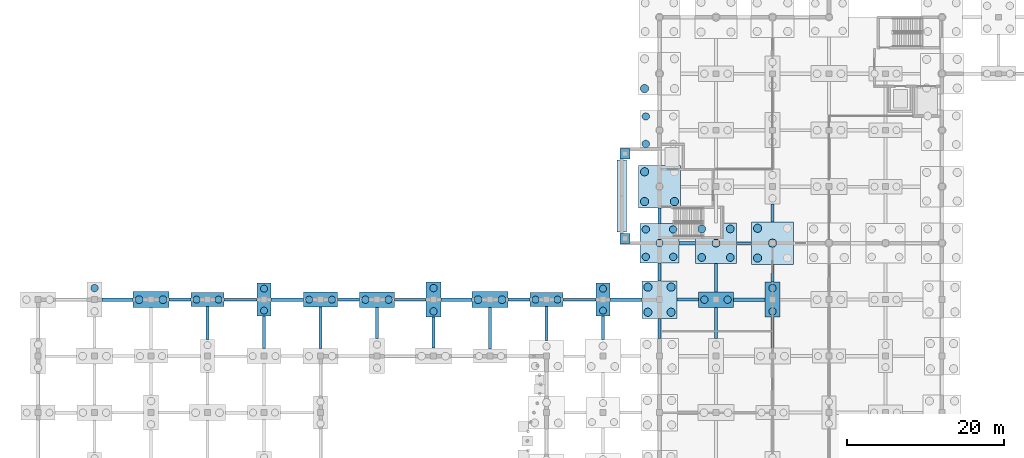
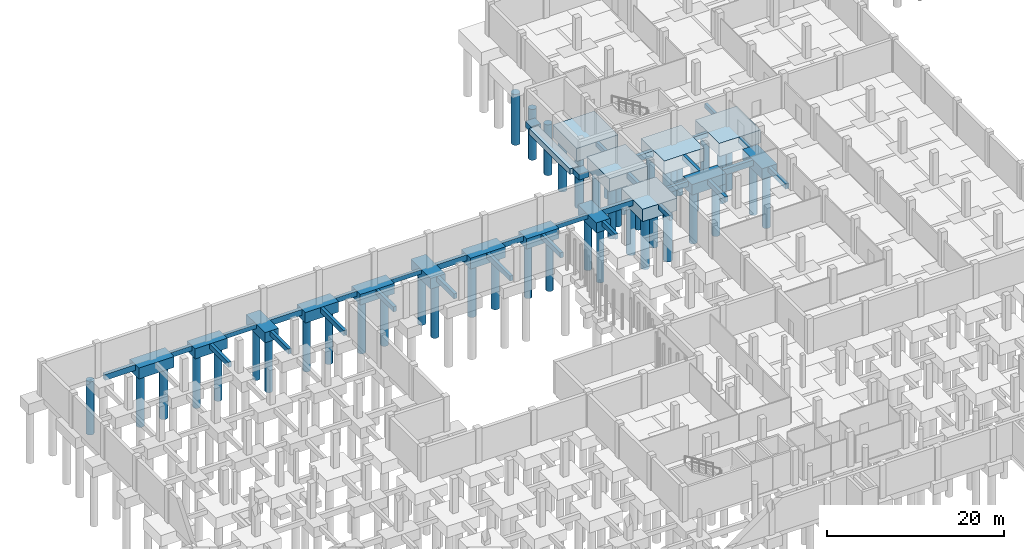
# One storey, part 10 of 35: 49 footings, 46 piles.
"""IFC4 building model written with IfcOpenShell, lengths in metres."""

from ifc_helpers import new_model, si_unit, direction, frame, origin, origin_2d, place, context, subcontext, project, spatial, rectangle, circle, extrude, material, material_profile, profile_set, type_object, element, save


model = new_model("IFC4")

# Units and contexts
model_context = context("Model", 3, precision=1e-05, world=origin(), true_north=direction((0.0, 1.0)))
body_context = subcontext(model_context, "Body", "Model", "MODEL_VIEW")
ifc_project = project(units=[si_unit("LENGTHUNIT", "METRE"), si_unit("AREAUNIT", "SQUARE_METRE"), si_unit("VOLUMEUNIT", "CUBIC_METRE"), si_unit("PLANEANGLEUNIT", "RADIAN"), si_unit("MASSUNIT", "GRAM", prefix="KILO"), si_unit("THERMODYNAMICTEMPERATUREUNIT", "KELVIN"), si_unit("POWERUNIT", "WATT")], contexts=[model_context])

# Site, building, storey
site_placement = place(None, origin())
site = spatial("IfcSite", under=ifc_project, at=site_placement, CompositionType="ELEMENT")
building_placement = place(site_placement, origin())
building = spatial("IfcBuilding", under=site, at=building_placement, Name="Kaldorven Railside Theatre", CompositionType="ELEMENT")
storey_placement = place(building_placement, frame((0.0, 0.0, -4.800048828125)))
storey = spatial("IfcBuildingStorey", under=building, at=storey_placement, Name="B1", CompositionType="ELEMENT", Elevation=-4.800048828125)

# Footings
ifc_material_1 = material(Name="Concrete C40/50", Category="concrete")
ifc_material_profile_1 = material_profile(ifc_material_1, rectangle(XDim=0.449951171875, YDim=0.800048828125, at=origin_2d()), Name="RC 450x800")
ifc_profile_set_1 = profile_set([ifc_material_profile_1], Name="Concrete C40/50")
footing_type_1 = type_object("IfcFootingType", Name="FTG-GB01", PredefinedType="FOOTING_BEAM", material=ifc_profile_set_1)
footing_1_placement = place(storey_placement, frame((16.175048828125, 76.800048828125, -0.39990234375), z_axis=(1.0, 0.0, 0.0), x_axis=(0.0, 1.0, 0.0)))
element("IfcFooting", 1, at=footing_1_placement, inside=storey, type_object=footing_type_1, Name="Foundation Tie Beam GB-291", PredefinedType="FOOTING_BEAM", context=body_context, shape_type="SweptSolid", body=[
    extrude(rectangle(XDim=0.449951171875, YDim=0.800048828125, at=origin_2d()), origin(), (0.0, 0.0, 1.0), 3.925048828125),
])
footing_2_placement = place(storey_placement, frame((37.699951171875, 76.800048828125, -0.39990234375), z_axis=(1.0, 0.0, 0.0), x_axis=(0.0, 1.0, 0.0)))
element("IfcFooting", 2, at=footing_2_placement, inside=storey, type_object=footing_type_1, Name="Foundation Tie Beam GB-294", PredefinedType="FOOTING_BEAM", context=body_context, shape_type="SweptSolid", body=[
    extrude(rectangle(XDim=0.449951171875, YDim=0.800048828125, at=origin_2d()), origin(), (0.0, 0.0, 1.0), 4.125),
])
footing_3_placement = place(storey_placement, frame((59.375, 76.800048828125, -0.39990234375), z_axis=(1.0, 0.0, 0.0), x_axis=(0.0, 1.0, 0.0)))
element("IfcFooting", 3, at=footing_3_placement, inside=storey, type_object=footing_type_1, Name="Foundation Tie Beam GB-297", PredefinedType="FOOTING_BEAM", context=body_context, shape_type="SweptSolid", body=[
    extrude(rectangle(XDim=0.449951171875, YDim=0.800048828125, at=origin_2d()), origin(), (0.0, 0.0, 1.0), 3.925048828125),
])
footing_4_placement = place(storey_placement, frame((80.89990234375, 76.800048828125, -0.39990234375), z_axis=(1.0, 0.0, 0.0), x_axis=(0.0, 1.0, 0.0)))
element("IfcFooting", 4, at=footing_4_placement, inside=storey, type_object=footing_type_1, Name="Foundation Tie Beam GB-300", PredefinedType="FOOTING_BEAM", context=body_context, shape_type="SweptSolid", body=[
    extrude(rectangle(XDim=0.449951171875, YDim=0.800048828125, at=origin_2d()), origin(), (0.0, 0.0, 1.0), 4.050048828125),
])
footing_5_placement = place(storey_placement, frame((96.625, 76.800048828125, -0.39990234375), z_axis=(1.0, 0.0, 0.0), x_axis=(0.0, 1.0, 0.0)))
element("IfcFooting", 5, at=footing_5_placement, inside=storey, type_object=footing_type_1, Name="Foundation Tie Beam GB-303", PredefinedType="FOOTING_BEAM", context=body_context, shape_type="SweptSolid", body=[
    extrude(rectangle(XDim=0.449951171875, YDim=0.800048828125, at=origin_2d()), origin(), (0.0, 0.0, 1.0), 4.0),
])
footing_6_placement = place(storey_placement, frame((89.699951171875, 84.0, -0.39990234375), z_axis=(1.0, 0.0, 0.0), x_axis=(0.0, 1.0, 0.0)))
element("IfcFooting", 6, at=footing_6_placement, inside=storey, type_object=footing_type_1, Name="Foundation Tie Beam GB-312", PredefinedType="FOOTING_BEAM", context=body_context, shape_type="SweptSolid", body=[
    extrude(rectangle(XDim=0.449951171875, YDim=0.800048828125, at=origin_2d()), origin(), (0.0, 0.0, 1.0), 2.10009765625),
])
ifc_material_profile_2 = material_profile(ifc_material_1, rectangle(XDim=0.39990234375, YDim=0.699951171875, at=origin_2d()), Name="RC 400x700")
ifc_profile_set_2 = profile_set([ifc_material_profile_2], Name="Concrete C40/50")
footing_type_2 = type_object("IfcFootingType", Name="FTG-GB02", PredefinedType="FOOTING_BEAM", material=ifc_profile_set_2)
footing_7_placement = place(storey_placement, frame((29.60009765625, 71.699951171875, -0.349853515625), z_axis=(0.0, 1.0, 0.0), x_axis=(-1.0, 0.0, 0.0)))
element("IfcFooting", 7, at=footing_7_placement, inside=storey, type_object=footing_type_2, Name="Foundation Tie Beam GB-264", PredefinedType="FOOTING_BEAM", context=body_context, shape_type="SweptSolid", body=[
    extrude(rectangle(XDim=0.39990234375, YDim=0.699951171875, at=origin_2d()), origin(), (0.0, 0.0, 1.0), 4.199951171875),
])
footing_8_placement = place(storey_placement, frame((36.800048828125, 70.550048828125, -0.349853515625), z_axis=(0.0, 1.0, 0.0), x_axis=(-1.0, 0.0, 0.0)))
element("IfcFooting", 8, at=footing_8_placement, inside=storey, type_object=footing_type_2, Name="Foundation Tie Beam GB-266", PredefinedType="FOOTING_BEAM", context=body_context, shape_type="SweptSolid", body=[
    extrude(rectangle(XDim=0.39990234375, YDim=0.699951171875, at=origin_2d()), origin(), (0.0, 0.0, 1.0), 4.14990234375),
])
footing_9_placement = place(storey_placement, frame((44.0, 70.574951171875, -0.349853515625), z_axis=(0.0, 1.0, 0.0), x_axis=(-1.0, 0.0, 0.0)))
element("IfcFooting", 9, at=footing_9_placement, inside=storey, type_object=footing_type_2, Name="Foundation Tie Beam GB-268", PredefinedType="FOOTING_BEAM", context=body_context, shape_type="SweptSolid", body=[
    extrude(rectangle(XDim=0.39990234375, YDim=0.699951171875, at=origin_2d()), origin(), (0.0, 0.0, 1.0), 5.275146484375),
])
footing_10_placement = place(storey_placement, frame((51.199951171875, 71.824951171875, -0.349853515625), z_axis=(0.0, 1.0, 0.0), x_axis=(-1.0, 0.0, 0.0)))
element("IfcFooting", 10, at=footing_10_placement, inside=storey, type_object=footing_type_2, Name="Foundation Tie Beam GB-270", PredefinedType="FOOTING_BEAM", context=body_context, shape_type="SweptSolid", body=[
    extrude(rectangle(XDim=0.39990234375, YDim=0.699951171875, at=origin_2d()), origin(), (0.0, 0.0, 1.0), 4.0),
])
footing_11_placement = place(storey_placement, frame((58.39990234375, 70.625, -0.349853515625), z_axis=(0.0, 1.0, 0.0), x_axis=(-1.0, 0.0, 0.0)))
element("IfcFooting", 11, at=footing_11_placement, inside=storey, type_object=footing_type_2, Name="Foundation Tie Beam GB-272", PredefinedType="FOOTING_BEAM", context=body_context, shape_type="SweptSolid", body=[
    extrude(rectangle(XDim=0.39990234375, YDim=0.699951171875, at=origin_2d()), origin(), (0.0, 0.0, 1.0), 3.949951171875),
])
footing_12_placement = place(storey_placement, frame((65.60009765625, 70.5, -0.349853515625), z_axis=(0.0, 1.0, 0.0), x_axis=(-1.0, 0.0, 0.0)))
element("IfcFooting", 12, at=footing_12_placement, inside=storey, type_object=footing_type_2, Name="Foundation Tie Beam GB-274", PredefinedType="FOOTING_BEAM", context=body_context, shape_type="SweptSolid", body=[
    extrude(rectangle(XDim=0.39990234375, YDim=0.699951171875, at=origin_2d()), origin(), (0.0, 0.0, 1.0), 5.27490234375),
])
footing_13_placement = place(storey_placement, frame((72.800048828125, 71.625, -0.349853515625), z_axis=(0.0, 1.0, 0.0), x_axis=(-1.0, 0.0, 0.0)))
element("IfcFooting", 13, at=footing_13_placement, inside=storey, type_object=footing_type_2, Name="Foundation Tie Beam GB-276", PredefinedType="FOOTING_BEAM", context=body_context, shape_type="SweptSolid", body=[
    extrude(rectangle(XDim=0.39990234375, YDim=0.699951171875, at=origin_2d()), origin(), (0.0, 0.0, 1.0), 4.27490234375),
])
footing_14_placement = place(storey_placement, frame((80.0, 71.699951171875, -0.349853515625), z_axis=(0.0, 1.0, 0.0), x_axis=(-1.0, 0.0, 0.0)))
element("IfcFooting", 14, at=footing_14_placement, inside=storey, type_object=footing_type_2, Name="Foundation Tie Beam GB-278", PredefinedType="FOOTING_BEAM", context=body_context, shape_type="SweptSolid", body=[
    extrude(rectangle(XDim=0.39990234375, YDim=0.699951171875, at=origin_2d()), origin(), (0.0, 0.0, 1.0), 3.0),
])
footing_15_placement = place(storey_placement, frame((87.199951171875, 71.85009765625, -0.349853515625), z_axis=(0.0, 1.0, 0.0), x_axis=(-1.0, 0.0, 0.0)))
element("IfcFooting", 15, at=footing_15_placement, inside=storey, type_object=footing_type_2, Name="Foundation Tie Beam GB-280", PredefinedType="FOOTING_BEAM", context=body_context, shape_type="SweptSolid", body=[
    extrude(rectangle(XDim=0.39990234375, YDim=0.699951171875, at=origin_2d()), origin(), (0.0, 0.0, 1.0), 2.5498046875),
])
footing_16_placement = place(storey_placement, frame((94.39990234375, 71.824951171875, -0.349853515625), z_axis=(0.0, 1.0, 0.0), x_axis=(-1.0, 0.0, 0.0)))
element("IfcFooting", 16, at=footing_16_placement, inside=storey, type_object=footing_type_2, Name="Foundation Tie Beam GB-282", PredefinedType="FOOTING_BEAM", context=body_context, shape_type="SweptSolid", body=[
    extrude(rectangle(XDim=0.39990234375, YDim=0.699951171875, at=origin_2d()), origin(), (0.0, 0.0, 1.0), 4.0),
])
footing_17_placement = place(storey_placement, frame((101.60009765625, 70.625, -0.349853515625), z_axis=(0.0, 1.0, 0.0), x_axis=(-1.0, 0.0, 0.0)))
element("IfcFooting", 17, at=footing_17_placement, inside=storey, type_object=footing_type_2, Name="Foundation Tie Beam GB-284", PredefinedType="FOOTING_BEAM", context=body_context, shape_type="SweptSolid", body=[
    extrude(rectangle(XDim=0.39990234375, YDim=0.699951171875, at=origin_2d()), origin(), (0.0, 0.0, 1.0), 3.949951171875),
])
for number, where, z_axis, x_axis, name in (
    (18, (24.699951171875, 76.800048828125, -0.349853515625), (1.0, 0.0, 0.0), (0.0, 1.0, 0.0), "Foundation Tie Beam GB-292"),
    (19, (46.175048828125, 76.800048828125, -0.349853515625), (1.0, 0.0, 0.0), (0.0, 1.0, 0.0), "Foundation Tie Beam GB-295"),
    (20, (67.89990234375, 76.800048828125, -0.349853515625), (1.0, 0.0, 0.0), (0.0, 1.0, 0.0), "Foundation Tie Beam GB-298"),
):
    element("IfcFooting", number, at=place(storey_placement, frame(where, z_axis=z_axis, x_axis=x_axis)), inside=storey, type_object=footing_type_2, Name=name, PredefinedType="FOOTING_BEAM", context=body_context, shape_type="SweptSolid", body=[
        extrude(rectangle(XDim=0.39990234375, YDim=0.699951171875, at=origin_2d()), origin(), (0.0, 0.0, 1.0), 2.800048828125),
    ])
footing_18_placement = place(storey_placement, frame((89.449951171875, 76.800048828125, -0.349853515625), z_axis=(1.0, 0.0, 0.0), x_axis=(0.0, 1.0, 0.0)))
element("IfcFooting", 21, at=footing_18_placement, inside=storey, type_object=footing_type_2, Name="Foundation Tie Beam GB-301", PredefinedType="FOOTING_BEAM", context=body_context, shape_type="SweptSolid", body=[
    extrude(rectangle(XDim=0.39990234375, YDim=0.699951171875, at=origin_2d()), origin(), (0.0, 0.0, 1.0), 2.72509765625),
])
footing_19_placement = place(storey_placement, frame((87.199951171875, 79.199951171875, -0.349853515625), z_axis=(0.0, 1.0, 0.0), x_axis=(-1.0, 0.0, 0.0)))
element("IfcFooting", 22, at=footing_19_placement, inside=storey, type_object=footing_type_2, Name="Foundation Tie Beam GB-302", PredefinedType="FOOTING_BEAM", context=body_context, shape_type="SweptSolid", body=[
    extrude(rectangle(XDim=0.39990234375, YDim=0.699951171875, at=origin_2d()), origin(), (0.0, 0.0, 1.0), 2.300048828125),
])
footing_20_placement = place(storey_placement, frame((94.39990234375, 77.77490234375, -0.349853515625), z_axis=(0.0, 1.0, 0.0), x_axis=(-1.0, 0.0, 0.0)))
element("IfcFooting", 23, at=footing_20_placement, inside=storey, type_object=footing_type_2, Name="Foundation Tie Beam GB-304", PredefinedType="FOOTING_BEAM", context=body_context, shape_type="SweptSolid", body=[
    extrude(rectangle(XDim=0.39990234375, YDim=0.699951171875, at=origin_2d()), origin(), (0.0, 0.0, 1.0), 3.625),
])
footing_21_placement = place(storey_placement, frame((101.60009765625, 79.02490234375, -0.349853515625), z_axis=(0.0, 1.0, 0.0), x_axis=(-1.0, 0.0, 0.0)))
element("IfcFooting", 24, at=footing_21_placement, inside=storey, type_object=footing_type_2, Name="Foundation Tie Beam GB-306", PredefinedType="FOOTING_BEAM", context=body_context, shape_type="SweptSolid", body=[
    extrude(rectangle(XDim=0.39990234375, YDim=0.699951171875, at=origin_2d()), origin(), (0.0, 0.0, 1.0), 2.275146484375),
])
ifc_material_profile_3 = material_profile(ifc_material_1, rectangle(XDim=0.35009765625, YDim=0.60009765625, at=origin_2d()), Name="RC 350x600")
ifc_profile_set_3 = profile_set([ifc_material_profile_3], Name="Concrete C40/50")
footing_type_3 = type_object("IfcFootingType", Name="FTG-GB03", PredefinedType="FOOTING_BEAM", material=ifc_profile_set_3)
footing_22_placement = place(storey_placement, frame((31.699951171875, 76.800048828125, -0.300048828125), z_axis=(1.0, 0.0, 0.0), x_axis=(0.0, 1.0, 0.0)))
element("IfcFooting", 25, at=footing_22_placement, inside=storey, type_object=footing_type_3, Name="Foundation Tie Beam GB-293", PredefinedType="FOOTING_BEAM", context=body_context, shape_type="SweptSolid", body=[
    extrude(rectangle(XDim=0.35009765625, YDim=0.60009765625, at=origin_2d()), origin(), (0.0, 0.0, 1.0), 4.199951171875),
])
footing_23_placement = place(storey_placement, frame((53.425048828125, 76.800048828125, -0.300048828125), z_axis=(1.0, 0.0, 0.0), x_axis=(0.0, 1.0, 0.0)))
element("IfcFooting", 26, at=footing_23_placement, inside=storey, type_object=footing_type_3, Name="Foundation Tie Beam GB-296", PredefinedType="FOOTING_BEAM", context=body_context, shape_type="SweptSolid", body=[
    extrude(rectangle(XDim=0.35009765625, YDim=0.60009765625, at=origin_2d()), origin(), (0.0, 0.0, 1.0), 4.0),
])
footing_24_placement = place(storey_placement, frame((74.89990234375, 76.800048828125, -0.300048828125), z_axis=(1.0, 0.0, 0.0), x_axis=(0.0, 1.0, 0.0)))
element("IfcFooting", 27, at=footing_24_placement, inside=storey, type_object=footing_type_3, Name="Foundation Tie Beam GB-299", PredefinedType="FOOTING_BEAM", context=body_context, shape_type="SweptSolid", body=[
    extrude(rectangle(XDim=0.35009765625, YDim=0.60009765625, at=origin_2d()), origin(), (0.0, 0.0, 1.0), 4.2001953125),
])
footing_25_placement = place(storey_placement, frame((87.199951171875, 86.5, -0.300048828125), z_axis=(0.0, 1.0, 0.0), x_axis=(-1.0, 0.0, 0.0)))
element("IfcFooting", 28, at=footing_25_placement, inside=storey, type_object=footing_type_3, Name="Foundation Tie Beam GB-313", PredefinedType="FOOTING_BEAM", context=body_context, shape_type="SweptSolid", body=[
    extrude(rectangle(XDim=0.35009765625, YDim=0.60009765625, at=origin_2d()), origin(), (0.0, 0.0, 1.0), 2.0),
])
footing_26_placement = place(storey_placement, frame((97.0, 84.0, -0.300048828125), z_axis=(1.0, 0.0, 0.0), x_axis=(0.0, 1.0, 0.0)))
element("IfcFooting", 29, at=footing_26_placement, inside=storey, type_object=footing_type_3, Name="Foundation Tie Beam GB-314", PredefinedType="FOOTING_BEAM", context=body_context, shape_type="SweptSolid", body=[
    extrude(rectangle(XDim=0.35009765625, YDim=0.60009765625, at=origin_2d()), origin(), (0.0, 0.0, 1.0), 1.89990234375),
])
footing_27_placement = place(storey_placement, frame((101.60009765625, 86.699951171875, -0.300048828125), z_axis=(0.0, 1.0, 0.0), x_axis=(-1.0, 0.0, 0.0)))
element("IfcFooting", 30, at=footing_27_placement, inside=storey, type_object=footing_type_3, Name="Foundation Tie Beam GB-317", PredefinedType="FOOTING_BEAM", context=body_context, shape_type="SweptSolid", body=[
    extrude(rectangle(XDim=0.35009765625, YDim=0.60009765625, at=origin_2d()), origin(), (0.0, 0.0, 1.0), 2.275146484375),
])
footing_type_4 = type_object("IfcFootingType", Name="FTG-PC03", PredefinedType="PILE_CAP", material=ifc_material_1)
for number, where, z_axis, x_axis, name in (
    (31, (29.60009765625, 76.800048828125, -1.39990234375), (0.0, 0.0, 1.0), (1.0, 0.0, 0.0), "Reinforced Concrete Pile Cap FC-162"),
    (32, (72.800048828125, 76.800048828125, -1.39990234375), (0.0, 0.0, 1.0), (1.0, 0.0, 0.0), "Reinforced Concrete Pile Cap FC-168"),
):
    element("IfcFooting", number, at=place(storey_placement, frame(where, z_axis=z_axis, x_axis=x_axis)), inside=storey, type_object=footing_type_4, Name=name, PredefinedType="PILE_CAP", context=body_context, shape_type="SweptSolid", body=[
        extrude(rectangle(XDim=4.199951171875, YDim=1.800048828125, at=origin_2d()), origin(), (0.0, 0.0, 1.0), 1.39990234375),
    ])
footing_type_5 = type_object("IfcFootingType", Name="FTG-PC04", PredefinedType="PILE_CAP", material=ifc_material_1)
for number, where, z_axis, x_axis, name in (
    (33, (36.800048828125, 76.800048828125, -1.39990234375), (0.0, 0.0, 1.0), (1.0, 0.0, 0.0), "Reinforced Concrete Pile Cap FC-163"),
    (34, (80.0, 76.800048828125, -1.39990234375), (0.0, 0.0, 1.0), (1.0, 0.0, 0.0), "Reinforced Concrete Pile Cap FC-169"),
):
    element("IfcFooting", number, at=place(storey_placement, frame(where, z_axis=z_axis, x_axis=x_axis)), inside=storey, type_object=footing_type_5, Name=name, PredefinedType="PILE_CAP", context=body_context, shape_type="SweptSolid", body=[
        extrude(rectangle(XDim=1.800048828125, YDim=4.199951171875, at=origin_2d()), origin(), (0.0, 0.0, 1.0), 1.39990234375),
    ])
footing_type_6 = type_object("IfcFootingType", Name="FTG-PC05", PredefinedType="PILE_CAP", material=ifc_material_1)
footing_28_placement = place(storey_placement, frame((44.0, 76.800048828125, -1.44970703125), z_axis=(0.0, 0.0, 1.0), x_axis=(1.0, 0.0, 0.0)))
element("IfcFooting", 35, at=footing_28_placement, inside=storey, type_object=footing_type_6, Name="Reinforced Concrete Pile Cap FC-164", PredefinedType="PILE_CAP", context=body_context, shape_type="SweptSolid", body=[
    extrude(rectangle(XDim=4.35009765625, YDim=1.89990234375, at=origin_2d()), origin(), (0.0, 0.0, 1.0), 1.449951171875),
])
footing_type_7 = type_object("IfcFootingType", Name="FTG-PC06", PredefinedType="PILE_CAP", material=ifc_material_1)
for number, where, z_axis, x_axis, name in (
    (36, (51.199951171875, 76.800048828125, -1.44970703125), (0.0, 0.0, 1.0), (1.0, 0.0, 0.0), "Reinforced Concrete Pile Cap FC-165"),
    (37, (94.39990234375, 76.800048828125, -1.44970703125), (0.0, 0.0, 1.0), (1.0, 0.0, 0.0), "Reinforced Concrete Pile Cap FC-171"),
):
    element("IfcFooting", number, at=place(storey_placement, frame(where, z_axis=z_axis, x_axis=x_axis)), inside=storey, type_object=footing_type_7, Name=name, PredefinedType="PILE_CAP", context=body_context, shape_type="SweptSolid", body=[
        extrude(rectangle(XDim=4.449951171875, YDim=1.949951171875, at=origin_2d()), origin(), (0.0, 0.0, 1.0), 1.449951171875),
    ])
footing_type_8 = type_object("IfcFootingType", Name="FTG-PC07", PredefinedType="PILE_CAP", material=ifc_material_1)
for number, where, z_axis, x_axis, name in (
    (38, (58.39990234375, 76.800048828125, -1.44970703125), (0.0, 0.0, 1.0), (1.0, 0.0, 0.0), "Reinforced Concrete Pile Cap FC-166"),
    (39, (101.60009765625, 76.800048828125, -1.44970703125), (0.0, 0.0, 1.0), (1.0, 0.0, 0.0), "Reinforced Concrete Pile Cap FC-172"),
):
    element("IfcFooting", number, at=place(storey_placement, frame(where, z_axis=z_axis, x_axis=x_axis)), inside=storey, type_object=footing_type_8, Name=name, PredefinedType="PILE_CAP", context=body_context, shape_type="SweptSolid", body=[
        extrude(rectangle(XDim=1.949951171875, YDim=4.449951171875, at=origin_2d()), origin(), (0.0, 0.0, 1.0), 1.449951171875),
    ])
footing_type_9 = type_object("IfcFootingType", Name="FTG-PC08", PredefinedType="PILE_CAP", material=ifc_material_1)
for number, where, z_axis, x_axis, name in (
    (40, (22.39990234375, 76.800048828125, -1.5), (0.0, 0.0, 1.0), (1.0, 0.0, 0.0), "Reinforced Concrete Pile Cap FC-161"),
    (41, (65.60009765625, 76.800048828125, -1.5), (0.0, 0.0, 1.0), (1.0, 0.0, 0.0), "Reinforced Concrete Pile Cap FC-167"),
):
    element("IfcFooting", number, at=place(storey_placement, frame(where, z_axis=z_axis, x_axis=x_axis)), inside=storey, type_object=footing_type_9, Name=name, PredefinedType="PILE_CAP", context=body_context, shape_type="SweptSolid", body=[
        extrude(rectangle(XDim=4.60009765625, YDim=2.050048828125, at=origin_2d()), origin(), (0.0, 0.0, 1.0), 1.5),
    ])
footing_type_10 = type_object("IfcFootingType", Name="FTG-PC17", PredefinedType="PILE_CAP", material=ifc_material_1)
footing_29_placement = place(storey_placement, frame((87.199951171875, 76.800048828125, -1.69970703125), z_axis=(0.0, 0.0, 1.0), x_axis=(1.0, 0.0, 0.0)))
element("IfcFooting", 42, at=footing_29_placement, inside=storey, type_object=footing_type_10, Name="Reinforced Concrete Pile Cap FC-170", PredefinedType="PILE_CAP", context=body_context, shape_type="SweptSolid", body=[
    extrude(rectangle(XDim=4.5, YDim=4.800048828125, at=origin_2d()), origin(), (0.0, 0.0, 1.0), 1.699951171875),
])
footing_type_11 = type_object("IfcFootingType", Name="FTG-PC19", PredefinedType="PILE_CAP", material=ifc_material_1)
footing_30_placement = place(storey_placement, frame((87.199951171875, 84.0, -1.7998046875), z_axis=(0.0, 0.0, 1.0), x_axis=(1.0, 0.0, 0.0)))
element("IfcFooting", 43, at=footing_30_placement, inside=storey, type_object=footing_type_11, Name="Reinforced Concrete Pile Cap FC-176", PredefinedType="PILE_CAP", context=body_context, shape_type="SweptSolid", body=[
    extrude(rectangle(XDim=5.0, YDim=5.0, at=origin_2d()), origin(), (0.0, 0.0, 1.0), 1.800048828125),
])
footing_type_12 = type_object("IfcFootingType", Name="FTG-PC20", PredefinedType="PILE_CAP", material=ifc_material_1)
footing_31_placement = place(storey_placement, frame((94.39990234375, 84.0, -1.7998046875), z_axis=(0.0, 0.0, 1.0), x_axis=(1.0, 0.0, 0.0)))
element("IfcFooting", 44, at=footing_31_placement, inside=storey, type_object=footing_type_12, Name="Reinforced Concrete Pile Cap FC-177", PredefinedType="PILE_CAP", context=body_context, shape_type="SweptSolid", body=[
    extrude(rectangle(XDim=5.199951171875, YDim=5.199951171875, at=origin_2d()), origin(), (0.0, 0.0, 1.0), 1.800048828125),
])
footing_type_13 = type_object("IfcFootingType", Name="FTG-PC21", PredefinedType="PILE_CAP", material=ifc_material_1)
for number, where, z_axis, x_axis, name in (
    (45, (101.60009765625, 84.0, -1.7998046875), (0.0, 0.0, 1.0), (1.0, 0.0, 0.0), "Reinforced Concrete Pile Cap FC-178"),
    (46, (87.199951171875, 91.199951171875, -1.7998046875), (0.0, 0.0, 1.0), (1.0, 0.0, 0.0), "Reinforced Concrete Pile Cap FC-182"),
):
    element("IfcFooting", number, at=place(storey_placement, frame(where, z_axis=z_axis, x_axis=x_axis)), inside=storey, type_object=footing_type_13, Name=name, PredefinedType="PILE_CAP", context=body_context, shape_type="SweptSolid", body=[
        extrude(rectangle(XDim=5.39990234375, YDim=5.39990234375, at=origin_2d()), origin(), (0.0, 0.0, 1.0), 1.800048828125),
    ])
footing_type_14 = type_object("IfcFootingType", Name="FTG-SF01", PredefinedType="PAD_FOOTING", material=ifc_material_1)
footing_32_placement = place(storey_placement, frame((82.39990234375, 90.0, -0.7998046875), z_axis=(0.0, 0.0, 1.0), x_axis=(1.0, 0.0, 0.0)))
element("IfcFooting", 47, at=footing_32_placement, inside=storey, type_object=footing_type_14, Name="West Stage Plinth Strip Footing SF-001", PredefinedType="PAD_FOOTING", context=body_context, shape_type="SweptSolid", body=[
    extrude(rectangle(XDim=1.179931640625, YDim=9.179931640625, at=origin_2d()), origin(), (0.0, 0.0, 1.0), 0.800048828125),
])
for number, where, z_axis, x_axis, name in (
    (48, (82.800048828125, 84.60009765625, -0.7998046875), (0.0, 0.0, 1.0), (1.0, 0.0, 0.0), "West Stage Apron Pad Footing SF-014"),
    (49, (82.800048828125, 95.39990234375, -0.7998046875), (0.0, 0.0, 1.0), (1.0, 0.0, 0.0), "West Stage Apron Pad Footing SF-015"),
):
    element("IfcFooting", number, at=place(storey_placement, frame(where, z_axis=z_axis, x_axis=x_axis)), inside=storey, type_object=footing_type_14, Name=name, PredefinedType="PAD_FOOTING", context=body_context, shape_type="SweptSolid", body=[
        extrude(rectangle(XDim=1.300048828125, YDim=1.300048828125, at=origin_2d()), origin(), (0.0, 0.0, 1.0), 0.800048828125),
    ])

# Piles
ifc_material_2 = material(Name="Concrete C35/45", Category="concrete")
ifc_material_profile_4 = material_profile(ifc_material_2, circle(Radius=0.5, at=origin_2d()), Name="BP D1000")
ifc_profile_set_4 = profile_set([ifc_material_profile_4], Name="Concrete C35/45")
pile_type_1 = type_object("IfcPileType", Name="PIL-D1000", PredefinedType="BORED", material=ifc_profile_set_4)
for number, where, z_axis, x_axis, name in (
    (50, (20.8798828125, 76.800048828125, -1.39990234375), (0.0, 0.0, -1.0), (1.0, 0.0, 0.0), "Bored Bedrock Socket Pile BP-022-076-1"),
    (51, (23.919921875, 76.800048828125, -1.39990234375), (0.0, 0.0, -1.0), (1.0, 0.0, 0.0), "Bored Bedrock Socket Pile BP-022-076-2"),
    (52, (64.080078125, 76.800048828125, -1.39990234375), (0.0, 0.0, -1.0), (1.0, 0.0, 0.0), "Bored Bedrock Socket Pile BP-065-076-1"),
    (53, (67.1201171875, 76.800048828125, -1.39990234375), (0.0, 0.0, -1.0), (1.0, 0.0, 0.0), "Bored Bedrock Socket Pile BP-065-076-2"),
):
    element("IfcPile", number, at=place(storey_placement, frame(where, z_axis=z_axis, x_axis=x_axis)), inside=storey, type_object=pile_type_1, Name=name, PredefinedType="BORED", context=body_context, shape_type="SweptSolid", body=[
        extrude(circle(Radius=0.5, at=origin_2d()), origin(), (0.0, 0.0, 1.0), 7.300048828125),
    ])
for number, where, z_axis, x_axis, name in (
    (54, (92.580078125, 82.179931640625, -1.699951171875), (0.0, 0.0, -1.0), (1.0, 0.0, 0.0), "Bored Bedrock Socket Pile BP-094-084-1"),
    (55, (96.219970703125, 82.179931640625, -1.699951171875), (0.0, 0.0, -1.0), (1.0, 0.0, 0.0), "Bored Bedrock Socket Pile BP-094-084-2"),
    (56, (92.580078125, 85.820068359375, -1.699951171875), (0.0, 0.0, -1.0), (1.0, 0.0, 0.0), "Bored Bedrock Socket Pile BP-094-084-3"),
    (57, (96.219970703125, 85.820068359375, -1.699951171875), (0.0, 0.0, -1.0), (1.0, 0.0, 0.0), "Bored Bedrock Socket Pile BP-094-084-4"),
    (58, (94.39990234375, 84.0, -1.699951171875), (0.0, 0.0, -1.0), (1.0, 0.0, 0.0), "Bored Bedrock Socket Pile BP-094-084-5"),
):
    element("IfcPile", number, at=place(storey_placement, frame(where, z_axis=z_axis, x_axis=x_axis)), inside=storey, type_object=pile_type_1, Name=name, PredefinedType="BORED", context=body_context, shape_type="SweptSolid", body=[
        extrude(circle(Radius=0.5, at=origin_2d()), origin(), (0.0, 0.0, 1.0), 7.0),
    ])
ifc_material_profile_5 = material_profile(ifc_material_2, circle(Radius=0.52490234375, at=origin_2d()), Name="BP D1050")
ifc_profile_set_5 = profile_set([ifc_material_profile_5], Name="Concrete C35/45")
pile_type_2 = type_object("IfcPileType", Name="PIL-D1050", PredefinedType="BORED", material=ifc_profile_set_5)
for number, where, z_axis, x_axis, name in (
    (59, (85.719970703125, 75.199951171875, -1.599853515625), (0.0, 0.0, -1.0), (1.0, 0.0, 0.0), "Bored Bedrock Socket Pile BP-087-076-1"),
    (60, (88.679931640625, 75.199951171875, -1.599853515625), (0.0, 0.0, -1.0), (1.0, 0.0, 0.0), "Bored Bedrock Socket Pile BP-087-076-2"),
    (61, (85.719970703125, 78.39990234375, -1.599853515625), (0.0, 0.0, -1.0), (1.0, 0.0, 0.0), "Bored Bedrock Socket Pile BP-087-076-3"),
    (62, (88.679931640625, 78.39990234375, -1.599853515625), (0.0, 0.0, -1.0), (1.0, 0.0, 0.0), "Bored Bedrock Socket Pile BP-087-076-4"),
):
    element("IfcPile", number, at=place(storey_placement, frame(where, z_axis=z_axis, x_axis=x_axis)), inside=storey, type_object=pile_type_2, Name=name, PredefinedType="BORED", context=body_context, shape_type="SweptSolid", body=[
        extrude(circle(Radius=0.52490234375, at=origin_2d()), origin(), (0.0, 0.0, 1.0), 7.10009765625),
    ])
for number, where, z_axis, x_axis, name in (
    (63, (99.699951171875, 82.10009765625, -1.699951171875), (0.0, 0.0, -1.0), (1.0, 0.0, 0.0), "Bored Bedrock Socket Pile BP-101-084-1"),
    (64, (99.699951171875, 85.89990234375, -1.699951171875), (0.0, 0.0, -1.0), (1.0, 0.0, 0.0), "Bored Bedrock Socket Pile BP-101-084-3"),
    (65, (101.60009765625, 84.0, -1.699951171875), (0.0, 0.0, -1.0), (1.0, 0.0, 0.0), "Bored Bedrock Socket Pile BP-101-084-5"),
    (66, (85.300048828125, 89.300048828125, -1.699951171875), (0.0, 0.0, -1.0), (1.0, 0.0, 0.0), "Bored Bedrock Socket Pile BP-087-091-1"),
    (67, (89.10009765625, 89.300048828125, -1.699951171875), (0.0, 0.0, -1.0), (1.0, 0.0, 0.0), "Bored Bedrock Socket Pile BP-087-091-2"),
    (68, (85.300048828125, 93.10009765625, -1.699951171875), (0.0, 0.0, -1.0), (1.0, 0.0, 0.0), "Bored Bedrock Socket Pile BP-087-091-3"),
    (69, (85.300048828125, 103.699951171875, -1.699951171875), (0.0, 0.0, -1.0), (1.0, 0.0, 0.0), "Bored Bedrock Socket Pile BP-087-105-1"),
):
    element("IfcPile", number, at=place(storey_placement, frame(where, z_axis=z_axis, x_axis=x_axis)), inside=storey, type_object=pile_type_2, Name=name, PredefinedType="BORED", context=body_context, shape_type="SweptSolid", body=[
        extrude(circle(Radius=0.52490234375, at=origin_2d()), origin(), (0.0, 0.0, 1.0), 7.0),
    ])
ifc_material_profile_6 = material_profile(ifc_material_2, circle(Radius=0.449951171875, at=origin_2d()), Name="BP D900")
ifc_profile_set_6 = profile_set([ifc_material_profile_6], Name="Concrete C35/45")
pile_type_3 = type_object("IfcPileType", Name="PIL-D900", PredefinedType="BORED", material=ifc_profile_set_6)
for number, where, z_axis, x_axis, name in (
    (70, (28.199951171875, 76.800048828125, -1.300048828125), (0.0, 0.0, -1.0), (1.0, 0.0, 0.0), "Bored Bedrock Socket Pile BP-029-076-1"),
    (71, (31.0, 76.800048828125, -1.300048828125), (0.0, 0.0, -1.0), (1.0, 0.0, 0.0), "Bored Bedrock Socket Pile BP-029-076-2"),
    (72, (36.800048828125, 75.39990234375, -1.300048828125), (0.0, 0.0, -1.0), (1.0, 0.0, 0.0), "Bored Bedrock Socket Pile BP-036-076-1"),
    (73, (36.800048828125, 78.199951171875, -1.300048828125), (0.0, 0.0, -1.0), (1.0, 0.0, 0.0), "Bored Bedrock Socket Pile BP-036-076-2"),
):
    element("IfcPile", number, at=place(storey_placement, frame(where, z_axis=z_axis, x_axis=x_axis)), inside=storey, type_object=pile_type_3, Name=name, PredefinedType="BORED", context=body_context, shape_type="SweptSolid", body=[
        extrude(circle(Radius=0.449951171875, at=origin_2d()), origin(), (0.0, 0.0, 1.0), 7.39990234375),
    ])
for number, where, z_axis, x_axis, name in (
    (74, (42.550048828125, 76.800048828125, -1.349853515625), (0.0, 0.0, -1.0), (1.0, 0.0, 0.0), "Bored Bedrock Socket Pile BP-044-076-1"),
    (75, (45.449951171875, 76.800048828125, -1.349853515625), (0.0, 0.0, -1.0), (1.0, 0.0, 0.0), "Bored Bedrock Socket Pile BP-044-076-2"),
):
    element("IfcPile", number, at=place(storey_placement, frame(where, z_axis=z_axis, x_axis=x_axis)), inside=storey, type_object=pile_type_3, Name=name, PredefinedType="BORED", context=body_context, shape_type="SweptSolid", body=[
        extrude(circle(Radius=0.449951171875, at=origin_2d()), origin(), (0.0, 0.0, 1.0), 7.35009765625),
    ])
for number, where, z_axis, x_axis, name in (
    (76, (71.39990234375, 76.800048828125, -1.300048828125), (0.0, 0.0, -1.0), (1.0, 0.0, 0.0), "Bored Bedrock Socket Pile BP-072-076-1"),
    (77, (74.199951171875, 76.800048828125, -1.300048828125), (0.0, 0.0, -1.0), (1.0, 0.0, 0.0), "Bored Bedrock Socket Pile BP-072-076-2"),
    (78, (80.0, 75.39990234375, -1.300048828125), (0.0, 0.0, -1.0), (1.0, 0.0, 0.0), "Bored Bedrock Socket Pile BP-080-076-1"),
    (79, (80.0, 78.199951171875, -1.300048828125), (0.0, 0.0, -1.0), (1.0, 0.0, 0.0), "Bored Bedrock Socket Pile BP-080-076-2"),
):
    element("IfcPile", number, at=place(storey_placement, frame(where, z_axis=z_axis, x_axis=x_axis)), inside=storey, type_object=pile_type_3, Name=name, PredefinedType="BORED", context=body_context, shape_type="SweptSolid", body=[
        extrude(circle(Radius=0.449951171875, at=origin_2d()), origin(), (0.0, 0.0, 1.0), 7.39990234375),
    ])
ifc_material_profile_7 = material_profile(ifc_material_2, circle(Radius=0.47509765625, at=origin_2d()), Name="BP D950")
ifc_profile_set_7 = profile_set([ifc_material_profile_7], Name="Concrete C35/45")
pile_type_4 = type_object("IfcPileType", Name="PIL-D950", PredefinedType="BORED", material=ifc_profile_set_7)
for number, where, z_axis, x_axis, name in (
    (80, (15.199951171875, 78.280029296875, -1.349853515625), (0.0, 0.0, -1.0), (1.0, 0.0, 0.0), "Bored Bedrock Socket Pile BP-015-076-2"),
    (81, (49.719970703125, 76.800048828125, -1.349853515625), (0.0, 0.0, -1.0), (1.0, 0.0, 0.0), "Bored Bedrock Socket Pile BP-051-076-1"),
    (82, (52.679931640625, 76.800048828125, -1.349853515625), (0.0, 0.0, -1.0), (1.0, 0.0, 0.0), "Bored Bedrock Socket Pile BP-051-076-2"),
    (83, (58.39990234375, 75.320068359375, -1.349853515625), (0.0, 0.0, -1.0), (1.0, 0.0, 0.0), "Bored Bedrock Socket Pile BP-058-076-1"),
    (84, (58.39990234375, 78.280029296875, -1.349853515625), (0.0, 0.0, -1.0), (1.0, 0.0, 0.0), "Bored Bedrock Socket Pile BP-058-076-2"),
    (85, (92.919921875, 76.800048828125, -1.349853515625), (0.0, 0.0, -1.0), (1.0, 0.0, 0.0), "Bored Bedrock Socket Pile BP-094-076-1"),
    (86, (95.8798828125, 76.800048828125, -1.349853515625), (0.0, 0.0, -1.0), (1.0, 0.0, 0.0), "Bored Bedrock Socket Pile BP-094-076-2"),
    (87, (101.60009765625, 75.320068359375, -1.349853515625), (0.0, 0.0, -1.0), (1.0, 0.0, 0.0), "Bored Bedrock Socket Pile BP-101-076-1"),
    (88, (101.60009765625, 78.280029296875, -1.349853515625), (0.0, 0.0, -1.0), (1.0, 0.0, 0.0), "Bored Bedrock Socket Pile BP-101-076-2"),
):
    element("IfcPile", number, at=place(storey_placement, frame(where, z_axis=z_axis, x_axis=x_axis)), inside=storey, type_object=pile_type_4, Name=name, PredefinedType="BORED", context=body_context, shape_type="SweptSolid", body=[
        extrude(circle(Radius=0.47509765625, at=origin_2d()), origin(), (0.0, 0.0, 1.0), 7.35009765625),
    ])
for number, where, z_axis, x_axis, name in (
    (89, (85.449951171875, 82.25, -1.699951171875), (0.0, 0.0, -1.0), (1.0, 0.0, 0.0), "Bored Bedrock Socket Pile BP-087-084-1"),
    (90, (88.949951171875, 82.25, -1.699951171875), (0.0, 0.0, -1.0), (1.0, 0.0, 0.0), "Bored Bedrock Socket Pile BP-087-084-2"),
    (91, (85.449951171875, 85.75, -1.699951171875), (0.0, 0.0, -1.0), (1.0, 0.0, 0.0), "Bored Bedrock Socket Pile BP-087-084-3"),
    (92, (88.949951171875, 85.75, -1.699951171875), (0.0, 0.0, -1.0), (1.0, 0.0, 0.0), "Bored Bedrock Socket Pile BP-087-084-4"),
    (93, (87.199951171875, 84.0, -1.699951171875), (0.0, 0.0, -1.0), (1.0, 0.0, 0.0), "Bored Bedrock Socket Pile BP-087-084-5"),
    (94, (85.449951171875, 96.64990234375, -1.699951171875), (0.0, 0.0, -1.0), (1.0, 0.0, 0.0), "Bored Bedrock Socket Pile BP-087-098-1"),
    (95, (85.449951171875, 100.14990234375, -1.699951171875), (0.0, 0.0, -1.0), (1.0, 0.0, 0.0), "Bored Bedrock Socket Pile BP-087-098-3"),
):
    element("IfcPile", number, at=place(storey_placement, frame(where, z_axis=z_axis, x_axis=x_axis)), inside=storey, type_object=pile_type_4, Name=name, PredefinedType="BORED", context=body_context, shape_type="SweptSolid", body=[
        extrude(circle(Radius=0.47509765625, at=origin_2d()), origin(), (0.0, 0.0, 1.0), 7.0),
    ])

save(model, "model.ifc")
